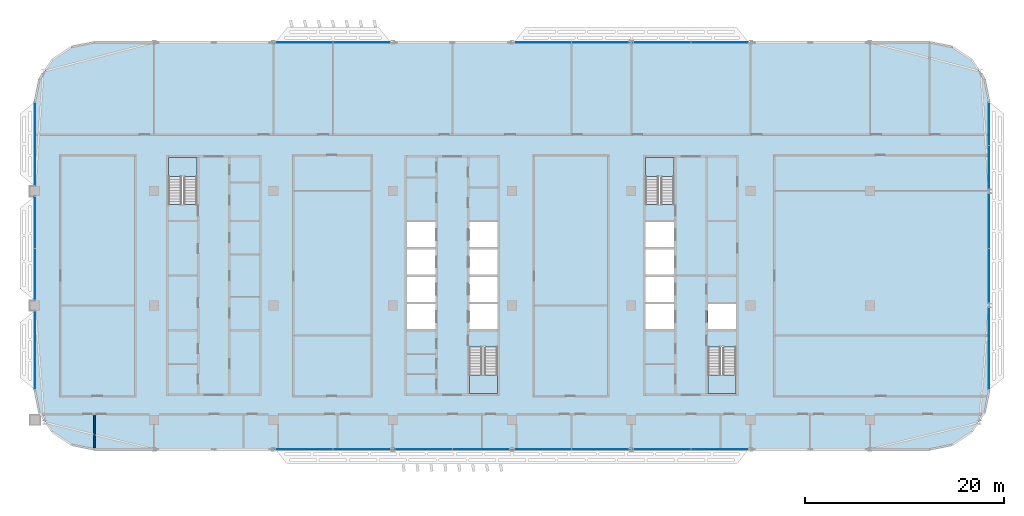
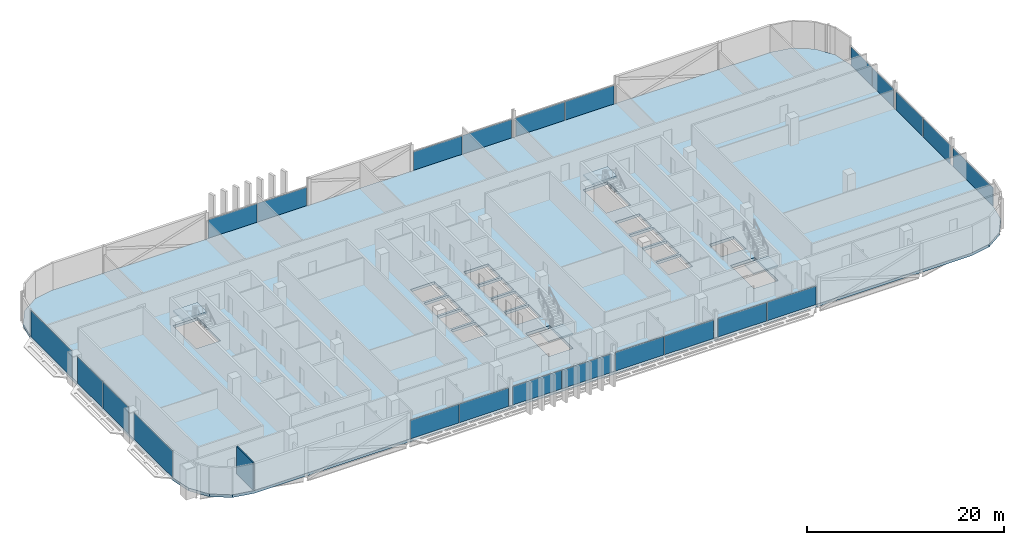
# One storey, part 16 of 33: 23 plates, 5 slabs, 1 wall, 17 elements without a shape of their own.
"""IFC4 building model written with IfcOpenShell, lengths in metres."""

from ifc_helpers import new_model, si_unit, direction, frame, frame_2d, origin, origin_2d, place, context, subcontext, project, spatial, polyline, rectangle, outline, extrude, material, layer, layer_set, type_object, element, aggregate, save


model = new_model("IFC4")

# Units and contexts
model_context = context("Model", 3, precision=1e-05, world=origin(), true_north=direction((0.0, 1.0)))
body_context = subcontext(model_context, "Body", "Model", "MODEL_VIEW")
ifc_project = project(units=[si_unit("LENGTHUNIT", "METRE"), si_unit("AREAUNIT", "SQUARE_METRE"), si_unit("VOLUMEUNIT", "CUBIC_METRE"), si_unit("PLANEANGLEUNIT", "RADIAN"), si_unit("MASSUNIT", "GRAM", prefix="KILO")], contexts=[model_context])

# Site, building, storey
site_placement = place(None, origin())
site = spatial("IfcSite", under=ifc_project, at=site_placement, CompositionType="ELEMENT")
building_placement = place(site_placement, origin())
building = spatial("IfcBuilding", under=site, at=building_placement, Name="Mahtab Terrace Research Tower", CompositionType="ELEMENT")
storey_placement = place(building_placement, frame((0.0, 0.0, 255.199951171875)))
storey = spatial("IfcBuildingStorey", under=building, at=storey_placement, Name="L62", CompositionType="ELEMENT", Elevation=255.199951171875)

# Stair, slab
ifc_material_1 = material(Name="Exit stair half-turn")
stair_type = type_object("IfcStairType", Name="Exit stair half-turn", PredefinedType="HALF_TURN_STAIR", material=ifc_material_1)
stair_1_placement = place(storey_placement, origin())
stair_1 = element("IfcStair", 1, at=stair_1_placement, inside=storey, type_object=stair_type, Name="L62 Protected exit stair ST1", PredefinedType="HALF_TURN_STAIR")
ifc_material_2 = material(Name="Concrete C40/50", Category="concrete")
ifc_layer_1 = layer(ifc_material_2, 0.199951171875)
ifc_layer_set_1 = layer_set([ifc_layer_1], Name="Exit stair landing 200")
slab_type_1 = type_object("IfcSlabType", Name="Exit stair landing 200", PredefinedType="LANDING", material=ifc_layer_set_1)
slab_1_placement = place(storey_placement, frame((0.0, 0.0, 1.699951171875)))
slab_1 = element("IfcSlab", 2, at=slab_1_placement, type_object=slab_type_1, Name="ST1 landing 1", PredefinedType="LANDING", context=body_context, shape_type="SweptSolid", body=[
    extrude(outline(polyline([(-25.699951171875, 12.97509765625), (-25.699951171875, 14.875), (-28.550048828125, 14.875), (-28.550048828125, 12.97509765625), (-25.699951171875, 12.97509765625)])), origin(), (0.0, 0.0, 1.0), 0.2001953125),
])
aggregate(stair_1, [slab_1])

stair_2_placement = place(storey_placement, origin())
stair_2 = element("IfcStair", 3, at=stair_2_placement, inside=storey, type_object=stair_type, Name="L62 Protected exit stair ST2", PredefinedType="HALF_TURN_STAIR")
slab_2_placement = place(storey_placement, frame((0.0, 0.0, 1.699951171875)))
slab_2 = element("IfcSlab", 4, at=slab_2_placement, type_object=slab_type_1, Name="ST2 landing 1", PredefinedType="LANDING", context=body_context, shape_type="SweptSolid", body=[
    extrude(outline(polyline([(1.699951171875, -6.97509765625), (1.699951171875, -8.875), (4.550048828125, -8.875), (4.550048828125, -6.97509765625), (1.699951171875, -6.97509765625)])), origin(), (0.0, 0.0, 1.0), 0.2001953125),
])
aggregate(stair_2, [slab_2])

stair_3_placement = place(storey_placement, origin())
stair_3 = element("IfcStair", 5, at=stair_3_placement, inside=storey, type_object=stair_type, Name="L62 Protected exit stair ST3", PredefinedType="HALF_TURN_STAIR")
slab_3_placement = place(storey_placement, frame((0.0, 0.0, 1.699951171875)))
slab_3 = element("IfcSlab", 6, at=slab_3_placement, type_object=slab_type_1, Name="ST3 landing 1", PredefinedType="LANDING", context=body_context, shape_type="SweptSolid", body=[
    extrude(outline(polyline([(22.300048828125, 12.97509765625), (22.300048828125, 14.875), (19.449951171875, 14.875), (19.449951171875, 12.97509765625), (22.300048828125, 12.97509765625)])), origin(), (0.0, 0.0, 1.0), 0.2001953125),
])
aggregate(stair_3, [slab_3])

stair_4_placement = place(storey_placement, origin())
stair_4 = element("IfcStair", 7, at=stair_4_placement, inside=storey, type_object=stair_type, Name="L62 Protected exit stair ST4", PredefinedType="HALF_TURN_STAIR")
slab_4_placement = place(storey_placement, frame((0.0, 0.0, 1.699951171875)))
slab_4 = element("IfcSlab", 8, at=slab_4_placement, type_object=slab_type_1, Name="ST4 landing 1", PredefinedType="LANDING", context=body_context, shape_type="SweptSolid", body=[
    extrude(outline(polyline([(25.699951171875, -6.97509765625), (25.699951171875, -8.875), (28.550048828125, -8.875), (28.550048828125, -6.97509765625), (25.699951171875, -6.97509765625)])), origin(), (0.0, 0.0, 1.0), 0.2001953125),
])
aggregate(stair_4, [slab_4])

# Curtain wall, plates
ifc_material_3 = material(Name="Office ribbon curtain wall")
curtain_wall_type = type_object("IfcCurtainWallType", Name="Office ribbon curtain wall", PredefinedType="NOTDEFINED", material=ifc_material_3)
curtain_wall_1_placement = place(storey_placement, origin())
curtain_wall_1 = element("IfcCurtainWall", 9, at=curtain_wall_1_placement, inside=storey, type_object=curtain_wall_type, Name="EN.L62.3.6", PredefinedType="NOTDEFINED")
ifc_material_4 = material(Name="Dark glazing", Category="glass")
ifc_layer_2 = layer(ifc_material_4, 0.030029296875)
ifc_layer_set_2 = layer_set([ifc_layer_2], Name="Office ribbon curtain wall glazing panel")
plate_type = type_object("IfcPlateType", Name="Office ribbon curtain wall glazing panel", PredefinedType="CURTAIN_PANEL", material=ifc_layer_set_2)
plate_1_placement = place(storey_placement, frame((26.888427734375, 26.472900390625, 0.0), z_axis=(0.0, 0.0, 1.0), x_axis=(-1.0, 0.0, 0.0)))
plate_1 = element("IfcPlate", 10, at=plate_1_placement, type_object=plate_type, Name="CWO-7 panel 1", PredefinedType="CURTAIN_PANEL", context=body_context, shape_type="SweptSolid", body=[
    extrude(rectangle(XDim=5.717041015625, YDim=0.030029296875, at=origin_2d()), origin(), (0.0, 0.0, 1.0), 2.30126953125),
])
plate_2_placement = place(storey_placement, frame((21.111572265625, 26.472900390625, 0.0), z_axis=(0.0, 0.0, 1.0), x_axis=(-1.0, 0.0, 0.0)))
plate_2 = element("IfcPlate", 11, at=plate_2_placement, type_object=plate_type, Name="CWO-7 panel 2", PredefinedType="CURTAIN_PANEL", context=body_context, shape_type="SweptSolid", body=[
    extrude(rectangle(XDim=5.717041015625, YDim=0.030029296875, at=origin_2d()), origin(), (0.0, 0.0, 1.0), 2.30126953125),
])
aggregate(curtain_wall_1, [plate_1, plate_2])

curtain_wall_2_placement = place(storey_placement, origin())
curtain_wall_2 = element("IfcCurtainWall", 12, at=curtain_wall_2_placement, inside=storey, type_object=curtain_wall_type, Name="EN.L62.3.7", PredefinedType="NOTDEFINED")
plate_3_placement = place(storey_placement, frame((14.888427734375, 26.472900390625, 0.0), z_axis=(0.0, 0.0, 1.0), x_axis=(-1.0, 0.0, 0.0)))
plate_3 = element("IfcPlate", 13, at=plate_3_placement, type_object=plate_type, Name="CWO-7 panel 1", PredefinedType="CURTAIN_PANEL", context=body_context, shape_type="SweptSolid", body=[
    extrude(rectangle(XDim=5.717041015625, YDim=0.030029296875, at=origin_2d()), origin(), (0.0, 0.0, 1.0), 2.30126953125),
])
plate_4_placement = place(storey_placement, frame((9.111572265625, 26.472900390625, 0.0), z_axis=(0.0, 0.0, 1.0), x_axis=(-1.0, 0.0, 0.0)))
plate_4 = element("IfcPlate", 14, at=plate_4_placement, type_object=plate_type, Name="CWO-7 panel 2", PredefinedType="CURTAIN_PANEL", context=body_context, shape_type="SweptSolid", body=[
    extrude(rectangle(XDim=5.717041015625, YDim=0.030029296875, at=origin_2d()), origin(), (0.0, 0.0, 1.0), 2.30126953125),
])
aggregate(curtain_wall_2, [plate_3, plate_4])

curtain_wall_3_placement = place(storey_placement, origin())
curtain_wall_3 = element("IfcCurtainWall", 15, at=curtain_wall_3_placement, inside=storey, type_object=curtain_wall_type, Name="EN.L62.3.9", PredefinedType="NOTDEFINED")
plate_5_placement = place(storey_placement, frame((-9.111572265625, 26.472900390625, 0.0), z_axis=(0.0, 0.0, 1.0), x_axis=(-1.0, 0.0, 0.0)))
plate_5 = element("IfcPlate", 16, at=plate_5_placement, type_object=plate_type, Name="CWO-7 panel 1", PredefinedType="CURTAIN_PANEL", context=body_context, shape_type="SweptSolid", body=[
    extrude(rectangle(XDim=5.717041015625, YDim=0.030029296875, at=origin_2d()), origin(), (0.0, 0.0, 1.0), 2.30126953125),
])
plate_6_placement = place(storey_placement, frame((-14.888427734375, 26.472900390625, 0.0), z_axis=(0.0, 0.0, 1.0), x_axis=(-1.0, 0.0, 0.0)))
plate_6 = element("IfcPlate", 17, at=plate_6_placement, type_object=plate_type, Name="CWO-7 panel 2", PredefinedType="CURTAIN_PANEL", context=body_context, shape_type="SweptSolid", body=[
    extrude(rectangle(XDim=5.717041015625, YDim=0.030029296875, at=origin_2d()), origin(), (0.0, 0.0, 1.0), 2.30126953125),
])
aggregate(curtain_wall_3, [plate_5, plate_6])

# Curtain wall, plate
curtain_wall_4_placement = place(storey_placement, origin())
curtain_wall_4 = element("IfcCurtainWall", 18, at=curtain_wall_4_placement, inside=storey, type_object=curtain_wall_type, Name="EN.L62.8.17", PredefinedType="NOTDEFINED")
plate_7_placement = place(storey_placement, frame((-42.0, 16.236572265625, 0.0), z_axis=(0.0, 0.0, 1.0), x_axis=(0.0, -1.0, 0.0)))
plate_7 = element("IfcPlate", 19, at=plate_7_placement, type_object=plate_type, Name="CWO-7 panel 1", PredefinedType="CURTAIN_PANEL", context=body_context, shape_type="SweptSolid", body=[
    extrude(rectangle(XDim=8.35302734375, YDim=0.030029296875, at=origin_2d()), origin(), (0.0, 0.0, 1.0), 3.300048828125),
])
aggregate(curtain_wall_4, [plate_7])

# Curtain wall, plates
curtain_wall_5_placement = place(storey_placement, origin())
curtain_wall_5 = element("IfcCurtainWall", 20, at=curtain_wall_5_placement, inside=storey, type_object=curtain_wall_type, Name="EN.L62.8.18", PredefinedType="NOTDEFINED")
plate_8_placement = place(storey_placement, frame((-42.0, 8.360107421875, 0.0), z_axis=(0.0, 0.0, 1.0), x_axis=(0.0, -1.0, 0.0)))
plate_8 = element("IfcPlate", 21, at=plate_8_placement, type_object=plate_type, Name="CWO-7 panel 1", PredefinedType="CURTAIN_PANEL", context=body_context, shape_type="SweptSolid", body=[
    extrude(rectangle(XDim=5.159912109375, YDim=0.030029296875, at=origin_2d()), origin(), (0.0, 0.0, 1.0), 3.300048828125),
])
plate_9_placement = place(storey_placement, frame((-42.0, 3.139892578125, 0.0), z_axis=(0.0, 0.0, 1.0), x_axis=(0.0, -1.0, 0.0)))
plate_9 = element("IfcPlate", 22, at=plate_9_placement, type_object=plate_type, Name="CWO-7 panel 2", PredefinedType="CURTAIN_PANEL", context=body_context, shape_type="SweptSolid", body=[
    extrude(rectangle(XDim=5.159912109375, YDim=0.030029296875, at=origin_2d()), origin(), (0.0, 0.0, 1.0), 3.300048828125),
])
aggregate(curtain_wall_5, [plate_8, plate_9])

# Curtain wall, plate
curtain_wall_6_placement = place(storey_placement, origin())
curtain_wall_6 = element("IfcCurtainWall", 23, at=curtain_wall_6_placement, inside=storey, type_object=curtain_wall_type, Name="EN.L62.8.19", PredefinedType="NOTDEFINED")
plate_10_placement = place(storey_placement, frame((-42.0, -4.486572265625, 0.0), z_axis=(0.0, 0.0, 1.0), x_axis=(0.0, -1.0, 0.0)))
plate_10 = element("IfcPlate", 24, at=plate_10_placement, type_object=plate_type, Name="CWO-7 panel 1", PredefinedType="CURTAIN_PANEL", context=body_context, shape_type="SweptSolid", body=[
    extrude(rectangle(XDim=7.85302734375, YDim=0.030029296875, at=origin_2d()), origin(), (0.0, 0.0, 1.0), 3.300048828125),
])
aggregate(curtain_wall_6, [plate_10])

# Curtain wall, plates
curtain_wall_7_placement = place(storey_placement, origin())
curtain_wall_7 = element("IfcCurtainWall", 25, at=curtain_wall_7_placement, inside=storey, type_object=curtain_wall_type, Name="EN.L62.13.27", PredefinedType="NOTDEFINED")
plate_11_placement = place(storey_placement, frame((-14.888427734375, -14.472900390625, 0.0), z_axis=(0.0, 0.0, 1.0), x_axis=(1.0, 0.0, 0.0)))
plate_11 = element("IfcPlate", 26, at=plate_11_placement, type_object=plate_type, Name="CWO-7 panel 1", PredefinedType="CURTAIN_PANEL", context=body_context, shape_type="SweptSolid", body=[
    extrude(rectangle(XDim=5.717041015625, YDim=0.030029296875, at=origin_2d()), origin(), (0.0, 0.0, 1.0), 2.30126953125),
])
plate_12_placement = place(storey_placement, frame((-9.111572265625, -14.472900390625, 0.0), z_axis=(0.0, 0.0, 1.0), x_axis=(1.0, 0.0, 0.0)))
plate_12 = element("IfcPlate", 27, at=plate_12_placement, type_object=plate_type, Name="CWO-7 panel 2", PredefinedType="CURTAIN_PANEL", context=body_context, shape_type="SweptSolid", body=[
    extrude(rectangle(XDim=5.717041015625, YDim=0.030029296875, at=origin_2d()), origin(), (0.0, 0.0, 1.0), 2.30126953125),
])
aggregate(curtain_wall_7, [plate_11, plate_12])

curtain_wall_8_placement = place(storey_placement, origin())
curtain_wall_8 = element("IfcCurtainWall", 28, at=curtain_wall_8_placement, inside=storey, type_object=curtain_wall_type, Name="EN.L62.13.28", PredefinedType="NOTDEFINED")
plate_13_placement = place(storey_placement, frame((-2.888427734375, -14.472900390625, 0.0), z_axis=(0.0, 0.0, 1.0), x_axis=(1.0, 0.0, 0.0)))
plate_13 = element("IfcPlate", 29, at=plate_13_placement, type_object=plate_type, Name="CWO-7 panel 1", PredefinedType="CURTAIN_PANEL", context=body_context, shape_type="SweptSolid", body=[
    extrude(rectangle(XDim=5.717041015625, YDim=0.030029296875, at=origin_2d()), origin(), (0.0, 0.0, 1.0), 2.30126953125),
])
plate_14_placement = place(storey_placement, frame((2.888427734375, -14.472900390625, 0.0), z_axis=(0.0, 0.0, 1.0), x_axis=(1.0, 0.0, 0.0)))
plate_14 = element("IfcPlate", 30, at=plate_14_placement, type_object=plate_type, Name="CWO-7 panel 2", PredefinedType="CURTAIN_PANEL", context=body_context, shape_type="SweptSolid", body=[
    extrude(rectangle(XDim=5.717041015625, YDim=0.030029296875, at=origin_2d()), origin(), (0.0, 0.0, 1.0), 2.30126953125),
])
aggregate(curtain_wall_8, [plate_13, plate_14])

curtain_wall_9_placement = place(storey_placement, origin())
curtain_wall_9 = element("IfcCurtainWall", 31, at=curtain_wall_9_placement, inside=storey, type_object=curtain_wall_type, Name="EN.L62.13.29", PredefinedType="NOTDEFINED")
plate_15_placement = place(storey_placement, frame((9.111572265625, -14.472900390625, 0.0), z_axis=(0.0, 0.0, 1.0), x_axis=(1.0, 0.0, 0.0)))
plate_15 = element("IfcPlate", 32, at=plate_15_placement, type_object=plate_type, Name="CWO-7 panel 1", PredefinedType="CURTAIN_PANEL", context=body_context, shape_type="SweptSolid", body=[
    extrude(rectangle(XDim=5.717041015625, YDim=0.030029296875, at=origin_2d()), origin(), (0.0, 0.0, 1.0), 2.30126953125),
])
plate_16_placement = place(storey_placement, frame((14.888427734375, -14.472900390625, 0.0), z_axis=(0.0, 0.0, 1.0), x_axis=(1.0, 0.0, 0.0)))
plate_16 = element("IfcPlate", 33, at=plate_16_placement, type_object=plate_type, Name="CWO-7 panel 2", PredefinedType="CURTAIN_PANEL", context=body_context, shape_type="SweptSolid", body=[
    extrude(rectangle(XDim=5.717041015625, YDim=0.030029296875, at=origin_2d()), origin(), (0.0, 0.0, 1.0), 2.30126953125),
])
aggregate(curtain_wall_9, [plate_15, plate_16])

curtain_wall_10_placement = place(storey_placement, origin())
curtain_wall_10 = element("IfcCurtainWall", 34, at=curtain_wall_10_placement, inside=storey, type_object=curtain_wall_type, Name="EN.L62.13.30", PredefinedType="NOTDEFINED")
plate_17_placement = place(storey_placement, frame((21.111572265625, -14.472900390625, 0.0), z_axis=(0.0, 0.0, 1.0), x_axis=(1.0, 0.0, 0.0)))
plate_17 = element("IfcPlate", 35, at=plate_17_placement, type_object=plate_type, Name="CWO-7 panel 1", PredefinedType="CURTAIN_PANEL", context=body_context, shape_type="SweptSolid", body=[
    extrude(rectangle(XDim=5.717041015625, YDim=0.030029296875, at=origin_2d()), origin(), (0.0, 0.0, 1.0), 2.30126953125),
])
plate_18_placement = place(storey_placement, frame((26.888427734375, -14.472900390625, 0.0), z_axis=(0.0, 0.0, 1.0), x_axis=(1.0, 0.0, 0.0)))
plate_18 = element("IfcPlate", 36, at=plate_18_placement, type_object=plate_type, Name="CWO-7 panel 2", PredefinedType="CURTAIN_PANEL", context=body_context, shape_type="SweptSolid", body=[
    extrude(rectangle(XDim=5.717041015625, YDim=0.030029296875, at=origin_2d()), origin(), (0.0, 0.0, 1.0), 2.30126953125),
])
aggregate(curtain_wall_10, [plate_17, plate_18])

# Curtain wall, plate
curtain_wall_11_placement = place(storey_placement, origin())
curtain_wall_11 = element("IfcCurtainWall", 37, at=curtain_wall_11_placement, inside=storey, type_object=curtain_wall_type, Name="EN.L62.18.38", PredefinedType="NOTDEFINED")
plate_19_placement = place(storey_placement, frame((54.0, -4.3330078125, 0.0), z_axis=(0.0, 0.0, 1.0), x_axis=(0.0, 1.0, 0.0)))
plate_19 = element("IfcPlate", 38, at=plate_19_placement, type_object=plate_type, Name="CWO-7 panel 1", PredefinedType="CURTAIN_PANEL", context=body_context, shape_type="SweptSolid", body=[
    extrude(rectangle(XDim=8.159912109375, YDim=0.030029296875, at=origin_2d()), origin(), (0.0, 0.0, 1.0), 2.30126953125),
])
aggregate(curtain_wall_11, [plate_19])

# Curtain wall, plates
curtain_wall_12_placement = place(storey_placement, origin())
curtain_wall_12 = element("IfcCurtainWall", 39, at=curtain_wall_12_placement, inside=storey, type_object=curtain_wall_type, Name="EN.L62.18.39", PredefinedType="NOTDEFINED")
plate_20_placement = place(storey_placement, frame((54.0, 2.986572265625, 0.0), z_axis=(0.0, 0.0, 1.0), x_axis=(0.0, 1.0, 0.0)))
plate_20 = element("IfcPlate", 40, at=plate_20_placement, type_object=plate_type, Name="CWO-7 panel 1", PredefinedType="CURTAIN_PANEL", context=body_context, shape_type="SweptSolid", body=[
    extrude(rectangle(XDim=5.467041015625, YDim=0.030029296875, at=origin_2d()), origin(), (0.0, 0.0, 1.0), 2.30126953125),
])
plate_21_placement = place(storey_placement, frame((54.0, 8.513427734375, 0.0), z_axis=(0.0, 0.0, 1.0), x_axis=(0.0, 1.0, 0.0)))
plate_21 = element("IfcPlate", 41, at=plate_21_placement, type_object=plate_type, Name="CWO-7 panel 2", PredefinedType="CURTAIN_PANEL", context=body_context, shape_type="SweptSolid", body=[
    extrude(rectangle(XDim=5.467041015625, YDim=0.030029296875, at=origin_2d()), origin(), (0.0, 0.0, 1.0), 2.30126953125),
])
aggregate(curtain_wall_12, [plate_20, plate_21])

curtain_wall_13_placement = place(storey_placement, origin())
curtain_wall_13 = element("IfcCurtainWall", 42, at=curtain_wall_13_placement, inside=storey, type_object=curtain_wall_type, Name="EN.L62.18.40", PredefinedType="NOTDEFINED")
plate_22_placement = place(storey_placement, frame((54.0, 13.903076171875, 0.0), z_axis=(0.0, 0.0, 1.0), x_axis=(0.0, 1.0, 0.0)))
plate_22 = element("IfcPlate", 43, at=plate_22_placement, type_object=plate_type, Name="CWO-7 panel 1", PredefinedType="CURTAIN_PANEL", context=body_context, shape_type="SweptSolid", body=[
    extrude(rectangle(XDim=4.300048828125, YDim=0.030029296875, at=origin_2d()), origin(), (0.0, 0.0, 1.0), 2.30126953125),
])
plate_23_placement = place(storey_placement, frame((54.0, 18.262939453125, 0.0), z_axis=(0.0, 0.0, 1.0), x_axis=(0.0, 1.0, 0.0)))
plate_23 = element("IfcPlate", 44, at=plate_23_placement, type_object=plate_type, Name="CWO-7 panel 2", PredefinedType="CURTAIN_PANEL", context=body_context, shape_type="SweptSolid", body=[
    extrude(rectangle(XDim=4.300048828125, YDim=0.030029296875, at=origin_2d()), origin(), (0.0, 0.0, 1.0), 2.30126953125),
])
aggregate(curtain_wall_13, [plate_22, plate_23])

# Slab
ifc_layer_3 = layer(ifc_material_2, 0.340087890625)
ifc_layer_set_3 = layer_set([ifc_layer_3], Name="PT flat slab 340")
slab_type_2 = type_object("IfcSlabType", Name="PT flat slab 340", PredefinedType="FLOOR", material=ifc_layer_set_3)
slab_5_placement = place(storey_placement, frame((0.0, 0.0, -0.33984375)))
element("IfcSlab", 45, at=slab_5_placement, inside=storey, type_object=slab_type_2, Name="Floor slab L62", PredefinedType="FLOOR", context=body_context, shape_type="SweptSolid", body=[
    extrude(outline(polyline([(53.54296875, 22.76904296875), (52.242919921875, 24.716064453125), (50.2958984375, 26.01611328125), (48.0, 26.472900390625), (-36.0, 26.472900390625), (-38.2958984375, 26.01611328125), (-40.242919921875, 24.716064453125), (-41.54296875, 22.76904296875), (-42.0, 20.472900390625), (-42.0, -8.472900390625), (-41.54296875, -10.76904296875), (-40.242919921875, -12.716064453125), (-38.2958984375, -14.01611328125), (-36.0, -14.472900390625), (48.0, -14.472900390625), (50.2958984375, -14.01611328125), (52.242919921875, -12.716064453125), (53.54296875, -10.76904296875), (54.0, -8.472900390625), (54.0, 20.472900390625), (53.54296875, 22.76904296875)]), holes=[polyline([(-4.550048828125, -2.375), (-4.550048828125, 0.125), (-1.699951171875, 0.125), (-1.699951171875, -2.375), (-4.550048828125, -2.375)]), polyline([(1.699951171875, -2.375), (1.699951171875, 0.125), (4.550048828125, 0.125), (4.550048828125, -2.375), (1.699951171875, -2.375)]), polyline([(-4.550048828125, 0.375), (-4.550048828125, 2.875), (-1.699951171875, 2.875), (-1.699951171875, 0.375), (-4.550048828125, 0.375)]), polyline([(1.699951171875, 0.375), (1.699951171875, 2.875), (4.550048828125, 2.875), (4.550048828125, 0.375), (1.699951171875, 0.375)]), polyline([(-4.550048828125, 3.125), (-4.550048828125, 5.625), (-1.699951171875, 5.625), (-1.699951171875, 3.125), (-4.550048828125, 3.125)]), polyline([(1.699951171875, 3.125), (1.699951171875, 5.625), (4.550048828125, 5.625), (4.550048828125, 3.125), (1.699951171875, 3.125)]), polyline([(-4.550048828125, 5.875), (-4.550048828125, 8.375), (-1.699951171875, 8.375), (-1.699951171875, 5.875), (-4.550048828125, 5.875)]), polyline([(1.699951171875, 5.875), (1.699951171875, 8.375), (4.550048828125, 8.375), (4.550048828125, 5.875), (1.699951171875, 5.875)]), polyline([(-28.550048828125, 10.177001953125), (-28.550048828125, 14.875), (-25.699951171875, 14.875), (-25.699951171875, 10.177001953125), (-28.550048828125, 10.177001953125)]), polyline([(1.699951171875, -8.875), (1.699951171875, -4.177001953125), (4.550048828125, -4.177001953125), (4.550048828125, -8.875), (1.699951171875, -8.875)]), polyline([(25.699951171875, -8.875), (25.699951171875, -4.177001953125), (28.550048828125, -4.177001953125), (28.550048828125, -8.875), (25.699951171875, -8.875)]), polyline([(19.449951171875, -2.375), (19.449951171875, 0.125), (22.300048828125, 0.125), (22.300048828125, -2.375), (19.449951171875, -2.375)]), polyline([(25.699951171875, -2.375), (25.699951171875, 0.125), (28.550048828125, 0.125), (28.550048828125, -2.375), (25.699951171875, -2.375)]), polyline([(19.449951171875, 0.375), (19.449951171875, 2.875), (22.300048828125, 2.875), (22.300048828125, 0.375), (19.449951171875, 0.375)]), polyline([(19.449951171875, 3.125), (19.449951171875, 5.625), (22.300048828125, 5.625), (22.300048828125, 3.125), (19.449951171875, 3.125)]), polyline([(19.449951171875, 8.375), (22.300048828125, 8.375), (22.300048828125, 5.875), (19.449951171875, 5.875), (19.449951171875, 8.375)]), polyline([(19.449951171875, 14.875), (22.300048828125, 14.875), (22.300048828125, 10.177001953125), (19.449951171875, 10.177001953125), (19.449951171875, 14.875)])]), origin(), (0.0, 0.0, 1.0), 0.33984375),
])

# Wall
ifc_material_5 = material(Name="Gypsum board partition on steel studs", Category="steel")
ifc_layer_4 = layer(ifc_material_5, 0.14990234375)
ifc_layer_set_4 = layer_set([ifc_layer_4], Name="WALL PARTITION 150")
wall_type = type_object("IfcWallType", Name="WALL PARTITION 150", PredefinedType="PARTITIONING", material=ifc_layer_set_4)
wall_placement = place(storey_placement, frame((-36.0, -14.320068359375, 0.0), z_axis=(0.0, 0.0, 1.0), x_axis=(0.0, 1.0, 0.0)))
element("IfcWall", 46, at=wall_placement, inside=storey, type_object=wall_type, Name="L62-W026", PredefinedType="PARTITIONING", context=body_context, shape_type="SweptSolid", body=[
    extrude(rectangle(XDim=3.297119140625, YDim=0.14990234375, at=frame_2d((1.6484375, 0.0))), origin(), (0.0, 0.0, 1.0), 3.400146484375),
])

save(model, "model.ifc")
